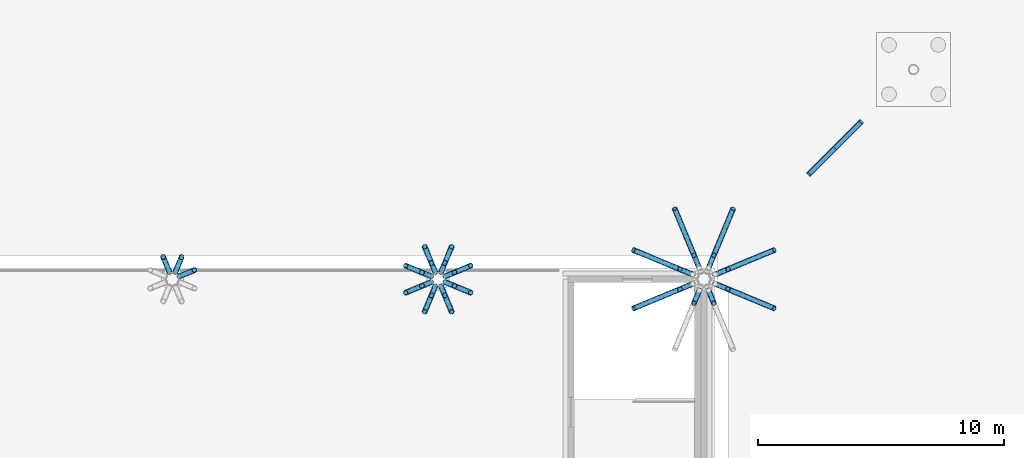
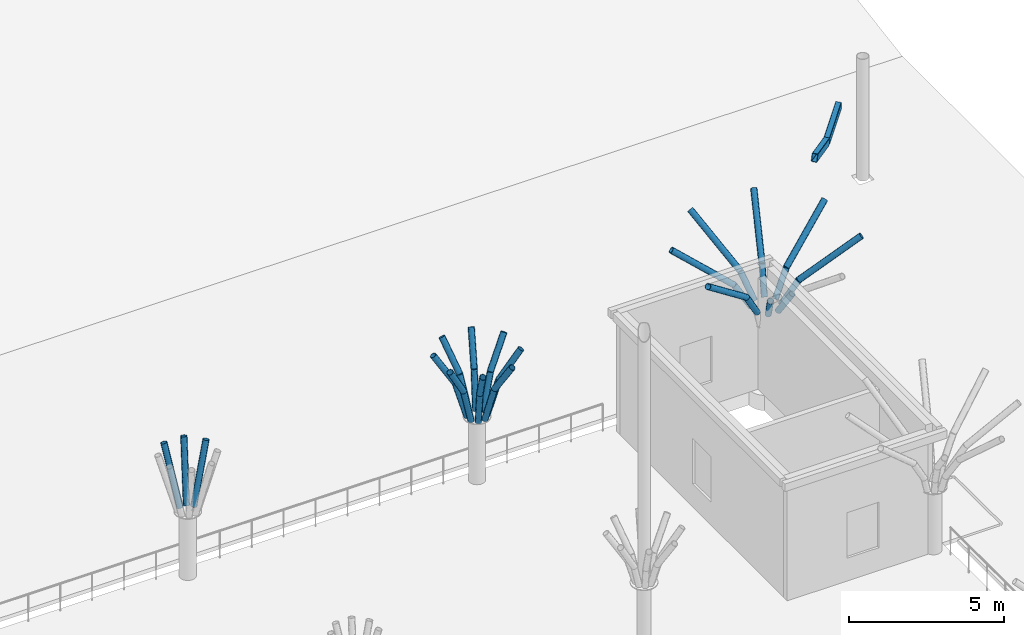
# One storey, part 27 of 91: 35 members.
"""IFC4 building model written with IfcOpenShell, lengths in metres."""

import ifcopenshell
import ifcopenshell.guid

model = None  # the IFC model being written
_history = None  # IfcOwnerHistory: only IFC2X3 demands one
_inside = {}  # id of a spatial element -> (the spatial element, [elements in it])
_under = {}  # id of a project, library or spatial element -> (it, [spatial elements below it])
_declared = {}  # id of a project -> (the project, [libraries it declares])
_typed = {}  # id of a type object -> (the type object, [elements of that type])
_made_of = {}  # id of a material, layer set ... -> (it, [elements and type objects made of it])


def new_model(schema):
    """Start an empty IFC model of exactly this schema.

    Asked for "IFC4X3", IfcOpenShell would pick the latest addendum, in which some entities
    have other attributes; the version numbers below select the first issue.
    IFC2X3 requires an IfcOwnerHistory on every rooted entity: one is made here for all.
    """
    global model, _history
    if schema == "IFC4X3":
        model = ifcopenshell.file(schema_version=(4, 3, 0, 0))
    else:
        model = ifcopenshell.file(schema=schema)
    _inside.clear()
    _under.clear()
    _declared.clear()
    _typed.clear()
    _made_of.clear()
    _history = None
    if model.schema == "IFC2X3":
        org = make("IfcOrganization", Name="unknown")
        user = make(
            "IfcPersonAndOrganization",
            ThePerson=make("IfcPerson", FamilyName="unknown"),
            TheOrganization=org,
        )
        app = make(
            "IfcApplication",
            ApplicationDeveloper=org,
            Version="unknown",
            ApplicationFullName="unknown",
            ApplicationIdentifier="unknown",
        )
        _history = make(
            "IfcOwnerHistory",
            OwningUser=user,
            OwningApplication=app,
            ChangeAction="ADDED",
            CreationDate=0,
        )
    return model


def make(cls, **values):
    """One entity of the class cls with the attributes given. An attribute that is None is left unset."""
    return model.create_entity(
        cls, **{name: value for name, value in values.items() if value is not None}
    )


def rooted(cls, **values):
    """An entity with a GlobalId (a new one), such as an element, a storey or a relation."""
    return make(cls, GlobalId=ifcopenshell.guid.new(), OwnerHistory=_history, **values)


def si_unit(unit_type, name, prefix=None):
    """IfcSIUnit, for example si_unit("LENGTHUNIT", "METRE", prefix="MILLI")."""
    return make("IfcSIUnit", UnitType=unit_type, Prefix=prefix, Name=name)


def assignment(units):
    """IfcUnitAssignment: the units of a project."""
    return None if units is None else make("IfcUnitAssignment", Units=units)


def point(xyz):
    """IfcCartesianPoint."""
    return None if xyz is None else make("IfcCartesianPoint", Coordinates=xyz)


def direction(xyz):
    """IfcDirection."""
    return None if xyz is None else make("IfcDirection", DirectionRatios=xyz)


def frame(location, z_axis=None, x_axis=None):
    """IfcAxis2Placement3D, a coordinate frame: its origin and axes. An axis left out is left unset."""
    return make(
        "IfcAxis2Placement3D",
        Location=point(location),
        Axis=direction(z_axis),
        RefDirection=direction(x_axis),
    )


def frame_2d(location, x_axis=None):
    """IfcAxis2Placement2D, a coordinate frame in the plane: its origin and x axis."""
    return make(
        "IfcAxis2Placement2D", Location=point(location), RefDirection=direction(x_axis)
    )


def origin():
    """The frame at (0, 0, 0) with its axes left unset."""
    return frame((0.0, 0.0, 0.0))


def origin_2d():
    """The frame at (0, 0) in the plane with its x axis left unset."""
    return frame_2d((0.0, 0.0))


def place(relative_to, where):
    """IfcLocalPlacement: puts the frame where relative to a parent placement (None: the world)."""
    return make(
        "IfcLocalPlacement", PlacementRelTo=relative_to, RelativePlacement=where
    )


def context(
    kind, dimensions, precision=None, world=None, true_north=None, identifier=None
):
    """IfcGeometricRepresentationContext, for example the 3D "Model" context."""
    return make(
        "IfcGeometricRepresentationContext",
        ContextIdentifier=identifier,
        ContextType=kind,
        CoordinateSpaceDimension=dimensions,
        Precision=precision,
        WorldCoordinateSystem=world,
        TrueNorth=true_north,
    )


def subcontext(parent, identifier, kind, view, scale=None):
    """IfcGeometricRepresentationSubContext, for example "Body" below "Model"."""
    return make(
        "IfcGeometricRepresentationSubContext",
        ContextIdentifier=identifier,
        ContextType=kind,
        ParentContext=parent,
        TargetScale=scale,
        TargetView=view,
    )


def project(units=None, contexts=None):
    """IfcProject with its units and contexts."""
    return rooted(
        "IfcProject",
        Name="project",
        RepresentationContexts=contexts,
        UnitsInContext=assignment(units),
    )


def spatial(cls, under=None, at=None, **own):
    """A site, building, storey or space (cls), placed at a placement, below another one or the project."""
    s = rooted(cls, ObjectPlacement=at, **own)
    if under is not None:
        _under.setdefault(under.id(), (under, []))[1].append(s)
    return s


def profile(cls, at=None, kind="AREA", **sizes):
    """A parametric profile (cls). Its sizes go by their IFC names, for example OverallWidth=200.0."""
    return make(cls, ProfileType=kind, Position=at, **sizes)


def hollow_rectangle(**sizes):
    """IfcRectangleHollowProfileDef."""
    return profile("IfcRectangleHollowProfileDef", **sizes)


def hollow_circle(**sizes):
    """IfcCircleHollowProfileDef."""
    return profile("IfcCircleHollowProfileDef", **sizes)


def extrude(swept, where, along, depth):
    """IfcExtrudedAreaSolid: the profile swept, set in the frame where, extruded along a direction by depth."""
    return make(
        "IfcExtrudedAreaSolid",
        SweptArea=swept,
        Position=where,
        ExtrudedDirection=direction(along),
        Depth=depth,
    )


def shape(context_of_items, identifier, shape_type, items):
    """IfcShapeRepresentation: the items that make up one representation, for example the "Body"."""
    return make(
        "IfcShapeRepresentation",
        ContextOfItems=context_of_items,
        RepresentationIdentifier=identifier,
        RepresentationType=shape_type,
        Items=items,
    )


def material(Name=None, Category=None):
    """IfcMaterial."""
    return make("IfcMaterial", Name=Name, Category=Category)


def material_profile(
    of_material, cross_section, Name=None, Category=None, Priority=None
):
    """IfcMaterialProfile: a cross section and its material."""
    return make(
        "IfcMaterialProfile",
        Name=Name,
        Material=of_material,
        Profile=cross_section,
        Priority=Priority,
        Category=Category,
    )


def profile_set(profiles, Name=None, composite=None):
    """IfcMaterialProfileSet."""
    return make(
        "IfcMaterialProfileSet",
        Name=Name,
        MaterialProfiles=profiles,
        CompositeProfile=composite,
    )


def made_of(thing, what):
    """Note that an element or type object is made of a material, layer set ...; save() writes the relation."""
    if what is not None:
        _made_of.setdefault(what.id(), (what, []))[1].append(thing)
    return thing


def type_object(cls, material=None, **own):
    """A type object (cls), such as IfcWallType, which elements share."""
    return made_of(rooted(cls, **own), material)


def element(
    cls,
    number,
    at=None,
    inside=None,
    cuts=None,
    type_object=None,
    material=None,
    context=None,
    identifier="Body",
    shape_type=None,
    held_by="IfcProductDefinitionShape",
    body=None,
    shapes=None,
    **own,
):
    """One element of the class cls, such as IfcWall. Its Tag is "e" and its number.

    at: its placement. inside: the storey or other place that contains it. cuts: it is an
    opening in that element (IfcRelVoidsElement). A single representation is given by context,
    identifier, shape_type and body (its items); several are given by shapes. held_by: the class
    of the entity that holds the representations. save() writes the other relations.
    """
    e = rooted(cls, Tag="e%d" % number, ObjectPlacement=at, **own)
    if body is not None:
        shapes = [shape(context, identifier, shape_type, body)]
    if shapes is not None:
        e.Representation = make(held_by, Representations=shapes)
    if inside is not None:
        _inside.setdefault(inside.id(), (inside, []))[1].append(e)
    if cuts is not None:
        rooted(
            "IfcRelVoidsElement", RelatingBuildingElement=cuts, RelatedOpeningElement=e
        )
    if type_object is not None:
        _typed.setdefault(type_object.id(), (type_object, []))[1].append(e)
    return made_of(e, material)


def aggregate(whole, parts):
    """IfcRelAggregates: a whole, such as a stair, and the parts it consists of."""
    return rooted("IfcRelAggregates", RelatingObject=whole, RelatedObjects=parts)


def save(model, path):
    """Write the relations noted so far, then the file.

    IfcRelAggregates (storeys below a building ...), IfcRelContainedInSpatialStructure (elements
    in a storey), IfcRelDefinesByType, IfcRelAssociatesMaterial and IfcRelDeclares: one each for
    every whole, place, type object, material and project.
    """
    for whole, parts in _under.values():
        aggregate(whole, parts)
    for where, things in _inside.values():
        rooted(
            "IfcRelContainedInSpatialStructure",
            RelatedElements=things,
            RelatingStructure=where,
        )
    for kind, things in _typed.values():
        rooted("IfcRelDefinesByType", RelatedObjects=things, RelatingType=kind)
    for what, things in _made_of.values():
        rooted("IfcRelAssociatesMaterial", RelatedObjects=things, RelatingMaterial=what)
    for by, libraries in _declared.values():
        rooted("IfcRelDeclares", RelatingContext=by, RelatedDefinitions=libraries)
    model.write(path)


model = new_model("IFC4")

# Units and contexts
model_context = context("Model", 3, precision=1e-05, world=origin(), true_north=direction((0.0, 1.0)))
body_context = subcontext(model_context, "Body", "Model", "MODEL_VIEW")
ifc_project = project(units=[si_unit("LENGTHUNIT", "METRE"), si_unit("AREAUNIT", "SQUARE_METRE"), si_unit("VOLUMEUNIT", "CUBIC_METRE"), si_unit("PLANEANGLEUNIT", "RADIAN"), si_unit("MASSUNIT", "GRAM", prefix="KILO")], contexts=[model_context])

# Site, building, storey
site_placement = place(None, origin())
site = spatial("IfcSite", under=ifc_project, at=site_placement, CompositionType="ELEMENT")
building_placement = place(site_placement, origin())
building = spatial("IfcBuilding", under=site, at=building_placement, Name="Magnolia Steps Interchange", CompositionType="ELEMENT")
storey_placement = place(building_placement, origin())
storey = spatial("IfcBuildingStorey", under=building, at=storey_placement, Name="L00", CompositionType="ELEMENT", Elevation=0.0)

# Members
ifc_material_1 = material(Name="Steel Q355B", Category="steel")
ifc_material_profile_1 = material_profile(ifc_material_1, hollow_rectangle(XDim=0.199951171875, YDim=0.300048828125, WallThickness=0.011962890625, InnerFilletRadius=0.011962890625, OuterFilletRadius=0.02392578125, at=origin_2d()), Name="RHS300x200x12")
ifc_profile_set_1 = profile_set([ifc_material_profile_1], Name="Steel Q355B")
member_type_1 = type_object("IfcMemberType", Name="Roof truss RHS300x200x12", PredefinedType="USERDEFINED", material=ifc_profile_set_1)
member_1_placement = place(storey_placement, frame((187.06103515625, 79.06103515625, 4.85498046875), z_axis=(0.686752395246, 0.686752395246, -0.238206413115), x_axis=(-0.697318873005, 0.714955291961, 0.050846040639)))
element("IfcMember", 1, at=member_1_placement, inside=storey, type_object=member_type_1, Name="Spike truss SP-C-NE bottom chord", ObjectType="Roof truss", PredefinedType="USERDEFINED", context=body_context, shape_type="SweptSolid", body=[
    extrude(hollow_rectangle(XDim=0.199951171875, YDim=0.300048828125, WallThickness=0.011962890625, InnerFilletRadius=0.011962890625, OuterFilletRadius=0.02392578125, at=origin_2d()), origin(), (0.0, 0.0, 1.0), 1.55078125),
])
member_2_placement = place(storey_placement, frame((188.1259765625, 80.1259765625, 4.485595703125), z_axis=(0.681069069944, 0.681069069944, 0.268867707117), x_axis=(-0.716376789955, 0.695755499173, 0.052235813235)))
element("IfcMember", 2, at=member_2_placement, inside=storey, type_object=member_type_1, Name="Spike truss SP-C-NE bottom chord", ObjectType="Roof truss", PredefinedType="USERDEFINED", context=body_context, shape_type="SweptSolid", body=[
    extrude(hollow_rectangle(XDim=0.199951171875, YDim=0.300048828125, WallThickness=0.011962890625, InnerFilletRadius=0.011962890625, OuterFilletRadius=0.02392578125, at=origin_2d()), origin(), (0.0, 0.0, 1.0), 1.563720703125),
])
ifc_material_2 = material(Name="Steel Q355B", Category="steel")
ifc_material_profile_2 = material_profile(ifc_material_2, hollow_circle(Radius=0.109619140625, WallThickness=0.010009765625, at=origin_2d()), Name="CHS219x10")
ifc_profile_set_2 = profile_set([ifc_material_profile_2], Name="Steel Q355B")
member_type_2 = type_object("IfcMemberType", Name="Tree rib CHS219x10", PredefinedType="USERDEFINED", material=ifc_profile_set_2)
for number, where, z_axis, x_axis, name in (
    (3, (161.4951171875, 74.92236328125, 2.563720703125), (0.254616991526, 0.105412052744, 0.961279609043), (-0.382516917404, 0.923948487688, 0.0), "Tree rib TC02D"),
    (4, (161.322265625, 75.09521484375, 2.563720703125), (0.105513948196, 0.254614224601, 0.961269162809), (-0.923816299568, 0.382836054536, 0.0), "Tree rib TC02D"),
    (5, (161.07763671875, 75.09521484375, 2.563720703125), (-0.105412052744, 0.254616991526, 0.961279609043), (-0.923948487688, -0.382516917404, 0.0), "Tree rib TC02D"),
):
    element("IfcMember", number, at=place(storey_placement, frame(where, z_axis=z_axis, x_axis=x_axis)), inside=storey, type_object=member_type_2, Name=name, ObjectType="TREE RIB", PredefinedType="USERDEFINED", context=body_context, shape_type="SweptSolid", body=[
        extrude(hollow_circle(Radius=0.109619140625, WallThickness=0.010009765625, at=origin_2d()), origin(), (0.0, 0.0, 1.0), 2.369384765625),
    ])
member_3_placement = place(storey_placement, frame((172.295166015625, 74.92236328125, 2.52001953125), z_axis=(0.254650125401, 0.105419675569, 0.961269996222), x_axis=(-0.382498039412, 0.923956302996, 0.0)))
element("IfcMember", 6, at=member_3_placement, inside=storey, type_object=member_type_2, Name="Tree rib TC03D", ObjectType="TREE RIB", PredefinedType="USERDEFINED", context=body_context, shape_type="SweptSolid", body=[
    extrude(hollow_circle(Radius=0.109619140625, WallThickness=0.010009765625, at=origin_2d()), origin(), (0.0, 0.0, 1.0), 1.426513671875),
])
member_4_placement = place(storey_placement, frame((172.658447265625, 75.07275390625, 3.891357421875), z_axis=(0.489741199011, 0.202769408995, 0.847961157582), x_axis=(-0.382541660705, 0.923938243513, 0.0)))
element("IfcMember", 7, at=member_4_placement, inside=storey, type_object=member_type_2, Name="Tree rib TC03D", ObjectType="TREE RIB", PredefinedType="USERDEFINED", context=body_context, shape_type="SweptSolid", body=[
    extrude(hollow_circle(Radius=0.109619140625, WallThickness=0.010009765625, at=origin_2d()), origin(), (0.0, 0.0, 1.0), 1.35693359375),
])
member_5_placement = place(storey_placement, frame((172.122314453125, 75.09521484375, 2.52001953125), z_axis=(0.105419675569, 0.254650125401, 0.961269996222), x_axis=(-0.923956302996, 0.382498039412, 0.0)))
element("IfcMember", 8, at=member_5_placement, inside=storey, type_object=member_type_2, Name="Tree rib TC03D", ObjectType="TREE RIB", PredefinedType="USERDEFINED", context=body_context, shape_type="SweptSolid", body=[
    extrude(hollow_circle(Radius=0.109619140625, WallThickness=0.010009765625, at=origin_2d()), origin(), (0.0, 0.0, 1.0), 1.426513671875),
])
member_6_placement = place(storey_placement, frame((172.272705078125, 75.45849609375, 3.891357421875), z_axis=(0.202787274908, 0.489604414396, 0.848035871021), x_axis=(-0.923888548062, 0.382661666176, 0.0)))
element("IfcMember", 9, at=member_6_placement, inside=storey, type_object=member_type_2, Name="Tree rib TC03D", ObjectType="TREE RIB", PredefinedType="USERDEFINED", context=body_context, shape_type="SweptSolid", body=[
    extrude(hollow_circle(Radius=0.109619140625, WallThickness=0.010009765625, at=origin_2d()), origin(), (0.0, 0.0, 1.0), 1.35693359375),
])
member_7_placement = place(storey_placement, frame((171.877685546875, 75.09521484375, 2.52001953125), z_axis=(-0.105419675569, 0.254650125401, 0.961269996222), x_axis=(-0.923956302996, -0.382498039412, 0.0)))
element("IfcMember", 10, at=member_7_placement, inside=storey, type_object=member_type_2, Name="Tree rib TC03D", ObjectType="TREE RIB", PredefinedType="USERDEFINED", context=body_context, shape_type="SweptSolid", body=[
    extrude(hollow_circle(Radius=0.109619140625, WallThickness=0.010009765625, at=origin_2d()), origin(), (0.0, 0.0, 1.0), 1.426513671875),
])
member_8_placement = place(storey_placement, frame((171.727294921875, 75.45849609375, 3.891357421875), z_axis=(-0.202787274908, 0.489604414396, 0.848035871021), x_axis=(-0.923888548062, -0.382661666176, 0.0)))
element("IfcMember", 11, at=member_8_placement, inside=storey, type_object=member_type_2, Name="Tree rib TC03D", ObjectType="TREE RIB", PredefinedType="USERDEFINED", context=body_context, shape_type="SweptSolid", body=[
    extrude(hollow_circle(Radius=0.109619140625, WallThickness=0.010009765625, at=origin_2d()), origin(), (0.0, 0.0, 1.0), 1.35693359375),
])
member_9_placement = place(storey_placement, frame((171.704833984375, 74.92236328125, 2.52001953125), z_axis=(-0.254650125401, 0.105419675569, 0.961269996222), x_axis=(-0.382498039412, -0.923956302996, 0.0)))
element("IfcMember", 12, at=member_9_placement, inside=storey, type_object=member_type_2, Name="Tree rib TC03D", ObjectType="TREE RIB", PredefinedType="USERDEFINED", context=body_context, shape_type="SweptSolid", body=[
    extrude(hollow_circle(Radius=0.109619140625, WallThickness=0.010009765625, at=origin_2d()), origin(), (0.0, 0.0, 1.0), 1.426513671875),
])
member_10_placement = place(storey_placement, frame((171.341552734375, 75.07275390625, 3.891357421875), z_axis=(-0.489741199011, 0.202769408995, 0.847961157582), x_axis=(-0.382541660705, -0.923938243513, 0.0)))
element("IfcMember", 13, at=member_10_placement, inside=storey, type_object=member_type_2, Name="Tree rib TC03D", ObjectType="TREE RIB", PredefinedType="USERDEFINED", context=body_context, shape_type="SweptSolid", body=[
    extrude(hollow_circle(Radius=0.109619140625, WallThickness=0.010009765625, at=origin_2d()), origin(), (0.0, 0.0, 1.0), 1.35693359375),
])
member_11_placement = place(storey_placement, frame((171.704833984375, 74.677734375, 2.52001953125), z_axis=(-0.254650125401, -0.105419675569, 0.961269996222), x_axis=(0.382498039412, -0.923956302996, 0.0)))
element("IfcMember", 14, at=member_11_placement, inside=storey, type_object=member_type_2, Name="Tree rib TC03D", ObjectType="TREE RIB", PredefinedType="USERDEFINED", context=body_context, shape_type="SweptSolid", body=[
    extrude(hollow_circle(Radius=0.109619140625, WallThickness=0.010009765625, at=origin_2d()), origin(), (0.0, 0.0, 1.0), 1.426513671875),
])
member_12_placement = place(storey_placement, frame((171.341552734375, 74.52734375, 3.891357421875), z_axis=(-0.489741199011, -0.202769408995, 0.847961157582), x_axis=(0.382541660705, -0.923938243513, 0.0)))
element("IfcMember", 15, at=member_12_placement, inside=storey, type_object=member_type_2, Name="Tree rib TC03D", ObjectType="TREE RIB", PredefinedType="USERDEFINED", context=body_context, shape_type="SweptSolid", body=[
    extrude(hollow_circle(Radius=0.109619140625, WallThickness=0.010009765625, at=origin_2d()), origin(), (0.0, 0.0, 1.0), 1.35693359375),
])
member_13_placement = place(storey_placement, frame((171.877685546875, 74.5048828125, 2.52001953125), z_axis=(-0.105419675569, -0.254650125401, 0.961269996222), x_axis=(0.923956302996, -0.382498039412, 0.0)))
element("IfcMember", 16, at=member_13_placement, inside=storey, type_object=member_type_2, Name="Tree rib TC03D", ObjectType="TREE RIB", PredefinedType="USERDEFINED", context=body_context, shape_type="SweptSolid", body=[
    extrude(hollow_circle(Radius=0.109619140625, WallThickness=0.010009765625, at=origin_2d()), origin(), (0.0, 0.0, 1.0), 1.426513671875),
])
member_14_placement = place(storey_placement, frame((171.727294921875, 74.1416015625, 3.891357421875), z_axis=(-0.202769408995, -0.489741199011, 0.847961157582), x_axis=(0.923938243513, -0.382541660705, 0.0)))
element("IfcMember", 17, at=member_14_placement, inside=storey, type_object=member_type_2, Name="Tree rib TC03D", ObjectType="TREE RIB", PredefinedType="USERDEFINED", context=body_context, shape_type="SweptSolid", body=[
    extrude(hollow_circle(Radius=0.109619140625, WallThickness=0.010009765625, at=origin_2d()), origin(), (0.0, 0.0, 1.0), 1.35693359375),
])
member_15_placement = place(storey_placement, frame((172.122314453125, 74.5048828125, 2.52001953125), z_axis=(0.105419675569, -0.254650125401, 0.961269996222), x_axis=(0.923956302996, 0.382498039412, 0.0)))
element("IfcMember", 18, at=member_15_placement, inside=storey, type_object=member_type_2, Name="Tree rib TC03D", ObjectType="TREE RIB", PredefinedType="USERDEFINED", context=body_context, shape_type="SweptSolid", body=[
    extrude(hollow_circle(Radius=0.109619140625, WallThickness=0.010009765625, at=origin_2d()), origin(), (0.0, 0.0, 1.0), 1.426513671875),
])
member_16_placement = place(storey_placement, frame((172.272705078125, 74.1416015625, 3.891357421875), z_axis=(0.202769408995, -0.489741199011, 0.847961157582), x_axis=(0.923938243513, 0.382541660705, 0.0)))
element("IfcMember", 19, at=member_16_placement, inside=storey, type_object=member_type_2, Name="Tree rib TC03D", ObjectType="TREE RIB", PredefinedType="USERDEFINED", context=body_context, shape_type="SweptSolid", body=[
    extrude(hollow_circle(Radius=0.109619140625, WallThickness=0.010009765625, at=origin_2d()), origin(), (0.0, 0.0, 1.0), 1.35693359375),
])
member_17_placement = place(storey_placement, frame((172.295166015625, 74.677734375, 2.52001953125), z_axis=(0.254650125401, -0.105419675569, 0.961269996222), x_axis=(0.382498039412, 0.923956302996, 0.0)))
element("IfcMember", 20, at=member_17_placement, inside=storey, type_object=member_type_2, Name="Tree rib TC03D", ObjectType="TREE RIB", PredefinedType="USERDEFINED", context=body_context, shape_type="SweptSolid", body=[
    extrude(hollow_circle(Radius=0.109619140625, WallThickness=0.010009765625, at=origin_2d()), origin(), (0.0, 0.0, 1.0), 1.426513671875),
])
member_18_placement = place(storey_placement, frame((172.658447265625, 74.52734375, 3.891357421875), z_axis=(0.489741199011, -0.202769408995, 0.847961157582), x_axis=(0.382541660705, 0.923938243513, 0.0)))
element("IfcMember", 21, at=member_18_placement, inside=storey, type_object=member_type_2, Name="Tree rib TC03D", ObjectType="TREE RIB", PredefinedType="USERDEFINED", context=body_context, shape_type="SweptSolid", body=[
    extrude(hollow_circle(Radius=0.109619140625, WallThickness=0.010009765625, at=origin_2d()), origin(), (0.0, 0.0, 1.0), 1.35693359375),
])
member_19_placement = place(storey_placement, frame((183.248046875, 74.985595703125, 3.0966796875), z_axis=(0.489382450029, 0.202815298439, 0.848157280416), x_axis=(-0.382854944576, 0.923808471175, 0.0)))
element("IfcMember", 22, at=member_19_placement, inside=storey, type_object=member_type_2, Name="Tree rib TC04D", ObjectType="TREE RIB", PredefinedType="USERDEFINED", context=body_context, shape_type="SweptSolid", body=[
    extrude(hollow_circle(Radius=0.109619140625, WallThickness=0.010009765625, at=origin_2d()), origin(), (0.0, 0.0, 1.0), 1.07861328125),
])
member_20_placement = place(storey_placement, frame((183.77587890625, 75.204345703125, 4.011474609375), z_axis=(0.734897405832, 0.304354330344, 0.606048054615), x_axis=(-0.382629625512, 0.923901818204, 0.0)))
element("IfcMember", 23, at=member_20_placement, inside=storey, type_object=member_type_2, Name="Tree rib TC04D", ObjectType="TREE RIB", PredefinedType="USERDEFINED", context=body_context, shape_type="SweptSolid", body=[
    extrude(hollow_circle(Radius=0.109619140625, WallThickness=0.010009765625, at=origin_2d()), origin(), (0.0, 0.0, 1.0), 2.5693359375),
])
member_21_placement = place(storey_placement, frame((182.985595703125, 75.248046875, 3.0966796875), z_axis=(0.202815298439, 0.489382450029, 0.848157280416), x_axis=(-0.923808471175, 0.382854944576, 0.0)))
element("IfcMember", 24, at=member_21_placement, inside=storey, type_object=member_type_2, Name="Tree rib TC04D", ObjectType="TREE RIB", PredefinedType="USERDEFINED", context=body_context, shape_type="SweptSolid", body=[
    extrude(hollow_circle(Radius=0.109619140625, WallThickness=0.010009765625, at=origin_2d()), origin(), (0.0, 0.0, 1.0), 1.07861328125),
])
member_22_placement = place(storey_placement, frame((183.204345703125, 75.77587890625, 4.011474609375), z_axis=(0.304354330344, 0.734897405832, 0.606048054615), x_axis=(-0.923901818204, 0.382629625512, 0.0)))
element("IfcMember", 25, at=member_22_placement, inside=storey, type_object=member_type_2, Name="Tree rib TC04D", ObjectType="TREE RIB", PredefinedType="USERDEFINED", context=body_context, shape_type="SweptSolid", body=[
    extrude(hollow_circle(Radius=0.109619140625, WallThickness=0.010009765625, at=origin_2d()), origin(), (0.0, 0.0, 1.0), 2.5693359375),
])
member_23_placement = place(storey_placement, frame((182.614501953125, 75.248046875, 3.0966796875), z_axis=(-0.202815298439, 0.489382450029, 0.848157280416), x_axis=(-0.923808471175, -0.382854944576, 0.0)))
element("IfcMember", 26, at=member_23_placement, inside=storey, type_object=member_type_2, Name="Tree rib TC04D", ObjectType="TREE RIB", PredefinedType="USERDEFINED", context=body_context, shape_type="SweptSolid", body=[
    extrude(hollow_circle(Radius=0.109619140625, WallThickness=0.010009765625, at=origin_2d()), origin(), (0.0, 0.0, 1.0), 1.07861328125),
])
member_24_placement = place(storey_placement, frame((182.395751953125, 75.77587890625, 4.011474609375), z_axis=(-0.304354330344, 0.734897405832, 0.606048054615), x_axis=(-0.923901818204, -0.382629625512, 0.0)))
element("IfcMember", 27, at=member_24_placement, inside=storey, type_object=member_type_2, Name="Tree rib TC04D", ObjectType="TREE RIB", PredefinedType="USERDEFINED", context=body_context, shape_type="SweptSolid", body=[
    extrude(hollow_circle(Radius=0.109619140625, WallThickness=0.010009765625, at=origin_2d()), origin(), (0.0, 0.0, 1.0), 2.5693359375),
])
member_25_placement = place(storey_placement, frame((182.35205078125, 74.985595703125, 3.0966796875), z_axis=(-0.489554566528, 0.202792830148, 0.848063319825), x_axis=(-0.382703871955, -0.923871065891, 0.0)))
element("IfcMember", 28, at=member_25_placement, inside=storey, type_object=member_type_2, Name="Tree rib TC04D", ObjectType="TREE RIB", PredefinedType="USERDEFINED", context=body_context, shape_type="SweptSolid", body=[
    extrude(hollow_circle(Radius=0.109619140625, WallThickness=0.010009765625, at=origin_2d()), origin(), (0.0, 0.0, 1.0), 1.07861328125),
])
member_26_placement = place(storey_placement, frame((181.823974609375, 75.204345703125, 4.011474609375), z_axis=(-0.734853698347, 0.304375584612, 0.606090377351), x_axis=(-0.382671860258, -0.92388432575, 0.0)))
element("IfcMember", 29, at=member_26_placement, inside=storey, type_object=member_type_2, Name="Tree rib TC04D", ObjectType="TREE RIB", PredefinedType="USERDEFINED", context=body_context, shape_type="SweptSolid", body=[
    extrude(hollow_circle(Radius=0.109619140625, WallThickness=0.010009765625, at=origin_2d()), origin(), (0.0, 0.0, 1.0), 2.569091796875),
])
member_27_placement = place(storey_placement, frame((182.35205078125, 74.614501953125, 3.0966796875), z_axis=(-0.489554566528, -0.202792830148, 0.848063319825), x_axis=(0.382703871955, -0.923871065891, 0.0)))
element("IfcMember", 30, at=member_27_placement, inside=storey, type_object=member_type_2, Name="Tree rib TC04D", ObjectType="TREE RIB", PredefinedType="USERDEFINED", context=body_context, shape_type="SweptSolid", body=[
    extrude(hollow_circle(Radius=0.109619140625, WallThickness=0.010009765625, at=origin_2d()), origin(), (0.0, 0.0, 1.0), 1.07861328125),
])
member_28_placement = place(storey_placement, frame((181.823974609375, 74.395751953125, 4.011474609375), z_axis=(-0.734853698347, -0.304375584612, 0.606090377351), x_axis=(0.382671860258, -0.92388432575, 0.0)))
element("IfcMember", 31, at=member_28_placement, inside=storey, type_object=member_type_2, Name="Tree rib TC04D", ObjectType="TREE RIB", PredefinedType="USERDEFINED", context=body_context, shape_type="SweptSolid", body=[
    extrude(hollow_circle(Radius=0.109619140625, WallThickness=0.010009765625, at=origin_2d()), origin(), (0.0, 0.0, 1.0), 2.569091796875),
])
for number, where, z_axis, x_axis, name in (
    (32, (182.614501953125, 74.35205078125, 3.0966796875), (-0.202792830148, -0.489554566528, 0.848063319825), (0.923871065891, -0.382703871955, 0.0), "Tree rib TC04D"),
    (33, (182.985595703125, 74.35205078125, 3.0966796875), (0.202792830148, -0.489554566528, 0.848063319825), (0.923871065891, 0.382703871955, 0.0), "Tree rib TC04D"),
    (34, (183.248046875, 74.614501953125, 3.0966796875), (0.489382450029, -0.202815298439, 0.848157280416), (0.382854944576, 0.923808471175, 0.0), "Tree rib TC04D"),
):
    element("IfcMember", number, at=place(storey_placement, frame(where, z_axis=z_axis, x_axis=x_axis)), inside=storey, type_object=member_type_2, Name=name, ObjectType="TREE RIB", PredefinedType="USERDEFINED", context=body_context, shape_type="SweptSolid", body=[
        extrude(hollow_circle(Radius=0.109619140625, WallThickness=0.010009765625, at=origin_2d()), origin(), (0.0, 0.0, 1.0), 1.07861328125),
    ])
member_29_placement = place(storey_placement, frame((183.77587890625, 74.395751953125, 4.011474609375), z_axis=(0.734897405832, -0.304354330344, 0.606048054615), x_axis=(0.382629625512, 0.923901818204, 0.0)))
element("IfcMember", 35, at=member_29_placement, inside=storey, type_object=member_type_2, Name="Tree rib TC04D", ObjectType="TREE RIB", PredefinedType="USERDEFINED", context=body_context, shape_type="SweptSolid", body=[
    extrude(hollow_circle(Radius=0.109619140625, WallThickness=0.010009765625, at=origin_2d()), origin(), (0.0, 0.0, 1.0), 2.5693359375),
])

save(model, "model.ifc")
